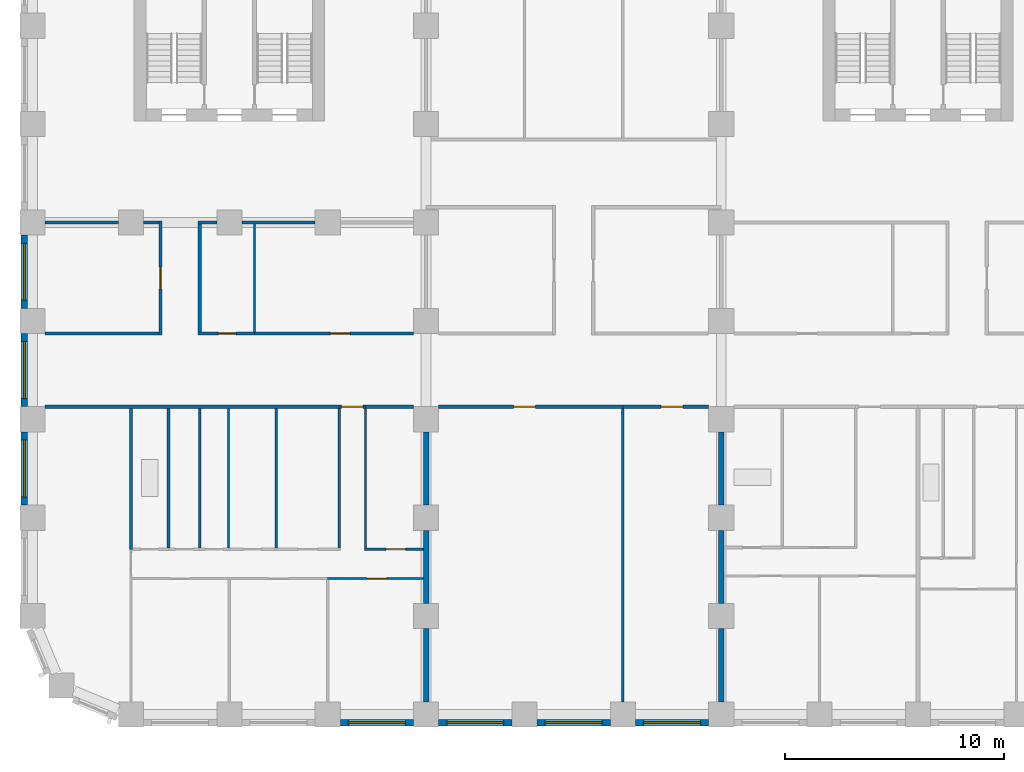
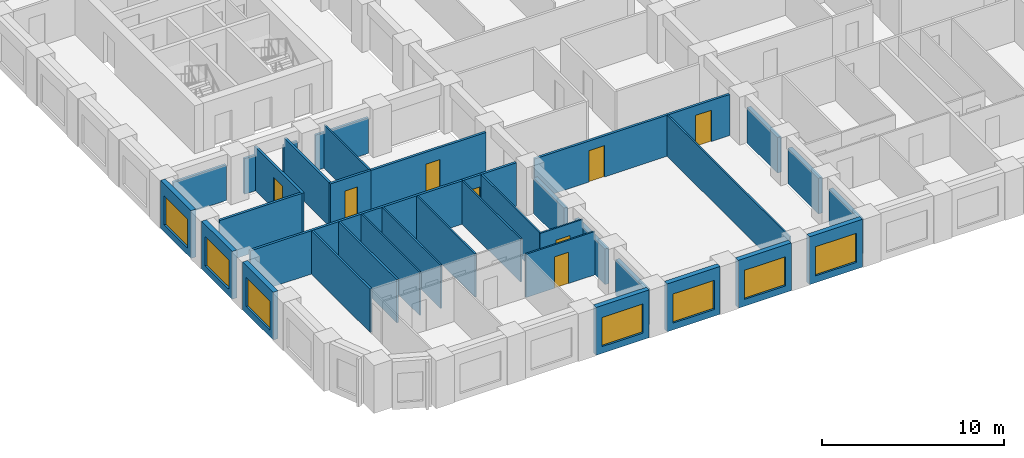
# One storey, part 3 of 13: 38 walls, 8 doors, 7 windows, 15 openings.
"""IFC4 building model written with IfcOpenShell, lengths in metres."""

from ifc_helpers import new_model, si_unit, direction, frame, frame_2d, origin, place, context, subcontext, project, spatial, rectangle, extrude, material, layer, layer_set, type_object, element, fill, save


model = new_model("IFC4")

# Units and contexts
model_context = context("Model", 3, precision=1e-05, world=origin(), true_north=direction((0.0, 1.0)))
body_context = subcontext(model_context, "Body", "Model", "MODEL_VIEW")
ifc_project = project(units=[si_unit("LENGTHUNIT", "METRE"), si_unit("AREAUNIT", "SQUARE_METRE"), si_unit("VOLUMEUNIT", "CUBIC_METRE"), si_unit("PLANEANGLEUNIT", "RADIAN"), si_unit("MASSUNIT", "GRAM", prefix="KILO")], contexts=[model_context])

# Site, building, storey
site_placement = place(None, origin())
site = spatial("IfcSite", under=ifc_project, at=site_placement, CompositionType="ELEMENT")
building_placement = place(site_placement, origin())
building = spatial("IfcBuilding", under=site, at=building_placement, Name="Girih Gate Residences", CompositionType="ELEMENT")
storey_placement = place(building_placement, frame((0.0, 0.0, 102.39990234375)))
storey = spatial("IfcBuildingStorey", under=building, at=storey_placement, Name="L28", CompositionType="ELEMENT", Elevation=102.39990234375)

# Walls
ifc_material_1 = material(Name="Gypsum board on steel studs", Category="steel")
ifc_layer_1 = layer(ifc_material_1, 0.25)
ifc_layer_set_1 = layer_set([ifc_layer_1], Name="Acoustic separating wall 250 mm")
wall_type_1 = type_object("IfcWallType", Name="Acoustic separating wall 250 mm", PredefinedType="PARTITIONING", material=ifc_layer_set_1)
for number, where, z_axis, x_axis, name in (
    (1, (18.0, 5.074951171875, 0.0), (0.0, 0.0, 1.0), (0.0, 1.0, 0.0), "L28 partition"),
    (2, (18.0, 0.574951171875, 0.0), (0.0, 0.0, 1.0), (0.0, 1.0, 0.0), "L28 partition"),
    (3, (18.0, 9.574951171875, 0.0), (0.0, 0.0, 1.0), (0.0, 1.0, 0.0), "L28 partition"),
    (4, (31.5, 9.574951171875, 0.0), (0.0, 0.0, 1.0), (0.0, 1.0, 0.0), "L28 partition"),
    (5, (31.5, 0.574951171875, 0.0), (0.0, 0.0, 1.0), (0.0, 1.0, 0.0), "L28 partition"),
    (6, (31.5, 5.074951171875, 0.0), (0.0, 0.0, 1.0), (0.0, 1.0, 0.0), "L28 partition"),
):
    element("IfcWall", number, at=place(storey_placement, frame(where, z_axis=z_axis, x_axis=x_axis)), inside=storey, type_object=wall_type_1, Name=name, PredefinedType="PARTITIONING", context=body_context, shape_type="SweptSolid", body=[
        extrude(rectangle(XDim=3.35009765625, YDim=0.25, at=frame_2d((1.675048828125, 0.0))), origin(), (0.0, 0.0, 1.0), 2.380126953125),
    ])

# Wall, opening, door
ifc_layer_2 = layer(ifc_material_1, 0.14990234375)
ifc_layer_set_2 = layer_set([ifc_layer_2], Name="Compartment wall 150 mm")
wall_type_2 = type_object("IfcWallType", Name="Compartment wall 150 mm", PredefinedType="PARTITIONING", material=ifc_layer_set_2)
wall_1_placement = place(storey_placement, frame((15.22509765625, 14.074951171875, 0.0), z_axis=(0.0, 0.0, 1.0), x_axis=(-1.0, 0.0, 0.0)))
wall_1 = element("IfcWall", 7, at=wall_1_placement, inside=storey, type_object=wall_type_2, Name="L28 partition", PredefinedType="PARTITIONING", context=body_context, shape_type="SweptSolid", body=[
    extrude(rectangle(XDim=1.2001953125, YDim=0.14990234375, at=frame_2d((0.60009765625, 0.0))), origin(), (0.0, 0.0, 1.0), 2.900146484375),
])
opening_1_placement = place(wall_1_placement, frame((0.10009765625, 0.0, 0.0)))
opening_1 = element("IfcOpeningElement", 8, at=opening_1_placement, cuts=wall_1, Name="Opening A28-011", PredefinedType="OPENING", context=body_context, shape_type="SweptSolid", body=[
    extrude(rectangle(XDim=1.0, YDim=2.10009765625, at=frame_2d((0.5, 1.050048828125))), frame((0.0, 0.0849609375, 0.0), z_axis=(0.0, -1.0, 0.0), x_axis=(1.0, 0.0, 0.0)), (0.0, 0.0, 1.0), 0.169921875),
])
ifc_material_2 = material(Name="Timber, fire-rated core", Category="wood")
door_type_1 = type_object("IfcDoorType", Name="Flat entrance door 1000x2100 FD30S", OperationType="NOTDEFINED", PredefinedType="DOOR", material=ifc_material_2)
door_1_placement = place(opening_1_placement, origin())
door_1 = element("IfcDoor", 9, at=door_1_placement, inside=storey, type_object=door_type_1, Name="Door A28-011", OperationType="SINGLE_SWING_RIGHT", OverallHeight=2.10009765625, OverallWidth=1.0, PredefinedType="DOOR", context=body_context, shape_type="SweptSolid", body=[
    extrude(rectangle(XDim=1.0, YDim=2.10009765625, at=frame_2d((0.5, 1.050048828125))), frame((0.0, 0.02490234375, 0.0), z_axis=(0.0, -1.0, 0.0), x_axis=(1.0, 0.0, 0.0)), (0.0, 0.0, 1.0), 0.050048828125),
])
fill(opening_1, door_1)

# Walls
wall_2_placement = place(storey_placement, frame((15.22509765625, 14.074951171875, 0.0), z_axis=(0.0, 0.0, 1.0), x_axis=(1.0, 0.0, 0.0)))
element("IfcWall", 10, at=wall_2_placement, inside=storey, type_object=wall_type_2, Name="L28 partition", PredefinedType="PARTITIONING", context=body_context, shape_type="SweptSolid", body=[
    extrude(rectangle(XDim=2.199951171875, YDim=0.14990234375, at=frame_2d((1.10009765625, 0.0))), origin(), (0.0, 0.0, 1.0), 2.900146484375),
])
wall_3_placement = place(storey_placement, frame((0.574951171875, 14.074951171875, 0.0), z_axis=(0.0, 0.0, 1.0), x_axis=(1.0, 0.0, 0.0)))
element("IfcWall", 11, at=wall_3_placement, inside=storey, type_object=wall_type_2, Name="L28 partition", PredefinedType="PARTITIONING", context=body_context, shape_type="SweptSolid", body=[
    extrude(rectangle(XDim=13.449951171875, YDim=0.14990234375, at=frame_2d((6.72509765625, 0.0))), origin(), (0.0, 0.0, 1.0), 2.900146484375),
])

# Wall, opening, door
wall_4_placement = place(storey_placement, frame((27.0, 14.074951171875, 0.0), z_axis=(0.0, 0.0, 1.0), x_axis=(-1.0, 0.0, 0.0)))
wall_4 = element("IfcWall", 12, at=wall_4_placement, inside=storey, type_object=wall_type_2, Name="L28 partition", PredefinedType="PARTITIONING", context=body_context, shape_type="SweptSolid", body=[
    extrude(rectangle(XDim=8.425048828125, YDim=0.14990234375, at=frame_2d((4.21240234375, 0.0))), origin(), (0.0, 0.0, 1.0), 2.75),
])
opening_2_placement = place(wall_4_placement, frame((4.0, 0.0, 0.0)))
opening_2 = element("IfcOpeningElement", 13, at=opening_2_placement, cuts=wall_4, Name="Opening A28-046", PredefinedType="OPENING", context=body_context, shape_type="SweptSolid", body=[
    extrude(rectangle(XDim=1.0, YDim=2.10009765625, at=frame_2d((0.5, 1.050048828125))), frame((0.0, 0.0849609375, 0.0), z_axis=(0.0, -1.0, 0.0), x_axis=(1.0, 0.0, 0.0)), (0.0, 0.0, 1.0), 0.169921875),
])
door_type_2 = type_object("IfcDoorType", Name="Amenity room door 1000x2100 FD30S", OperationType="NOTDEFINED", PredefinedType="DOOR", material=ifc_material_2)
door_2_placement = place(opening_2_placement, origin())
door_2 = element("IfcDoor", 14, at=door_2_placement, inside=storey, type_object=door_type_2, Name="Door A28-046", OperationType="SINGLE_SWING_RIGHT", OverallHeight=2.10009765625, OverallWidth=1.0, PredefinedType="DOOR", context=body_context, shape_type="SweptSolid", body=[
    extrude(rectangle(XDim=1.0, YDim=2.10009765625, at=frame_2d((0.5, 1.050048828125))), frame((0.0, 0.02490234375, 0.0), z_axis=(0.0, -1.0, 0.0), x_axis=(1.0, 0.0, 0.0)), (0.0, 0.0, 1.0), 0.050048828125),
])
fill(opening_2, door_2)

wall_5_placement = place(storey_placement, frame((30.925048828125, 14.074951171875, 0.0), z_axis=(0.0, 0.0, 1.0), x_axis=(-1.0, 0.0, 0.0)))
wall_5 = element("IfcWall", 15, at=wall_5_placement, inside=storey, type_object=wall_type_2, Name="L28 partition", PredefinedType="PARTITIONING", context=body_context, shape_type="SweptSolid", body=[
    extrude(rectangle(XDim=3.925048828125, YDim=0.14990234375, at=frame_2d((1.96240234375, 0.0))), origin(), (0.0, 0.0, 1.0), 2.75),
])
opening_3_placement = place(wall_5_placement, frame((1.175048828125, 0.0, 0.0)))
opening_3 = element("IfcOpeningElement", 16, at=opening_3_placement, cuts=wall_5, Name="Opening A28-047", PredefinedType="OPENING", context=body_context, shape_type="SweptSolid", body=[
    extrude(rectangle(XDim=1.0, YDim=2.10009765625, at=frame_2d((0.5, 1.050048828125))), frame((0.0, 0.0849609375, 0.0), z_axis=(0.0, -1.0, 0.0), x_axis=(1.0, 0.0, 0.0)), (0.0, 0.0, 1.0), 0.169921875),
])
door_3_placement = place(opening_3_placement, origin())
door_3 = element("IfcDoor", 17, at=door_3_placement, inside=storey, type_object=door_type_2, Name="Door A28-047", OperationType="SINGLE_SWING_LEFT", OverallHeight=2.10009765625, OverallWidth=1.0, PredefinedType="DOOR", context=body_context, shape_type="SweptSolid", body=[
    extrude(rectangle(XDim=1.0, YDim=2.10009765625, at=frame_2d((0.5, 1.050048828125))), frame((0.0, 0.02490234375, 0.0), z_axis=(0.0, -1.0, 0.0), x_axis=(1.0, 0.0, 0.0)), (0.0, 0.0, 1.0), 0.050048828125),
])
fill(opening_3, door_3)

wall_6_placement = place(storey_placement, frame((10.14990234375, 17.425048828125, 0.0), z_axis=(0.0, 0.0, 1.0), x_axis=(1.0, 0.0, 0.0)))
wall_6 = element("IfcWall", 18, at=wall_6_placement, inside=storey, type_object=wall_type_2, Name="L28 partition", PredefinedType="PARTITIONING", context=body_context, shape_type="SweptSolid", body=[
    extrude(rectangle(XDim=7.275146484375, YDim=0.14990234375, at=frame_2d((3.6376953125, 0.0))), origin(), (0.0, 0.0, 1.0), 2.900146484375),
])
opening_4_placement = place(wall_6_placement, frame((3.47509765625, 0.0, 0.0)))
opening_4 = element("IfcOpeningElement", 19, at=opening_4_placement, cuts=wall_6, Name="Opening A28-051", PredefinedType="OPENING", context=body_context, shape_type="SweptSolid", body=[
    extrude(rectangle(XDim=0.89990234375, YDim=2.10009765625, at=frame_2d((0.449951171875, 1.050048828125))), frame((0.0, 0.0849609375, 0.0), z_axis=(0.0, -1.0, 0.0), x_axis=(1.0, 0.0, 0.0)), (0.0, 0.0, 1.0), 0.169921875),
])
ifc_material_3 = material(Name="Timber", Category="wood")
door_type_3 = type_object("IfcDoorType", Name="Service room door 900x2100", OperationType="NOTDEFINED", PredefinedType="DOOR", material=ifc_material_3)
door_4_placement = place(opening_4_placement, origin())
door_4 = element("IfcDoor", 20, at=door_4_placement, inside=storey, type_object=door_type_3, Name="Door A28-051", OperationType="SINGLE_SWING_RIGHT", OverallHeight=2.10009765625, OverallWidth=0.89990234375, PredefinedType="DOOR", context=body_context, shape_type="SweptSolid", body=[
    extrude(rectangle(XDim=0.89990234375, YDim=2.10009765625, at=frame_2d((0.449951171875, 1.050048828125))), frame((0.0, 0.02490234375, 0.0), z_axis=(0.0, -1.0, 0.0), x_axis=(1.0, 0.0, 0.0)), (0.0, 0.0, 1.0), 0.050048828125),
])
fill(opening_4, door_4)

wall_7_placement = place(storey_placement, frame((7.574951171875, 17.425048828125, 0.0), z_axis=(0.0, 0.0, 1.0), x_axis=(1.0, 0.0, 0.0)))
wall_7 = element("IfcWall", 21, at=wall_7_placement, inside=storey, type_object=wall_type_2, Name="L28 partition", PredefinedType="PARTITIONING", context=body_context, shape_type="SweptSolid", body=[
    extrude(rectangle(XDim=2.574951171875, YDim=0.14990234375, at=frame_2d((1.28759765625, 0.0))), origin(), (0.0, 0.0, 1.0), 2.900146484375),
])
opening_5_placement = place(wall_7_placement, frame((0.925048828125, 0.0, 0.0)))
opening_5 = element("IfcOpeningElement", 22, at=opening_5_placement, cuts=wall_7, Name="Opening A28-053", PredefinedType="OPENING", context=body_context, shape_type="SweptSolid", body=[
    extrude(rectangle(XDim=0.800048828125, YDim=2.10009765625, at=frame_2d((0.39990234375, 1.050048828125))), frame((0.0, 0.0849609375, 0.0), z_axis=(0.0, -1.0, 0.0), x_axis=(1.0, 0.0, 0.0)), (0.0, 0.0, 1.0), 0.169921875),
])
door_type_4 = type_object("IfcDoorType", Name="Bathroom door 800x2100", OperationType="NOTDEFINED", PredefinedType="DOOR", material=ifc_material_3)
door_5_placement = place(opening_5_placement, origin())
door_5 = element("IfcDoor", 23, at=door_5_placement, inside=storey, type_object=door_type_4, Name="Door A28-053", OperationType="SINGLE_SWING_RIGHT", OverallHeight=2.10009765625, OverallWidth=0.800048828125, PredefinedType="DOOR", context=body_context, shape_type="SweptSolid", body=[
    extrude(rectangle(XDim=0.800048828125, YDim=2.10009765625, at=frame_2d((0.39990234375, 1.050048828125))), frame((0.0, 0.02490234375, 0.0), z_axis=(0.0, -1.0, 0.0), x_axis=(1.0, 0.0, 0.0)), (0.0, 0.0, 1.0), 0.050048828125),
])
fill(opening_5, door_5)

# Walls
wall_8_placement = place(storey_placement, frame((0.574951171875, 17.425048828125, 0.0), z_axis=(0.0, 0.0, 1.0), x_axis=(1.0, 0.0, 0.0)))
element("IfcWall", 24, at=wall_8_placement, inside=storey, type_object=wall_type_2, Name="L28 partition", PredefinedType="PARTITIONING", context=body_context, shape_type="SweptSolid", body=[
    extrude(rectangle(XDim=5.199951171875, YDim=0.14990234375, at=frame_2d((2.60009765625, 0.0))), origin(), (0.0, 0.0, 1.0), 2.900146484375),
])
wall_9_placement = place(storey_placement, frame((9.574951171875, 22.5, 0.0), z_axis=(0.0, 0.0, 1.0), x_axis=(1.0, 0.0, 0.0)))
element("IfcWall", 25, at=wall_9_placement, inside=storey, type_object=wall_type_2, Name="L28 partition", PredefinedType="PARTITIONING", context=body_context, shape_type="SweptSolid", body=[
    extrude(rectangle(XDim=3.35009765625, YDim=0.14990234375, at=frame_2d((1.675048828125, 0.0))), origin(), (0.0, 0.0, 1.0), 2.380126953125),
])
wall_10_placement = place(storey_placement, frame((7.574951171875, 22.5, 0.0), z_axis=(0.0, 0.0, 1.0), x_axis=(1.0, 0.0, 0.0)))
element("IfcWall", 26, at=wall_10_placement, inside=storey, type_object=wall_type_2, Name="L28 partition", PredefinedType="PARTITIONING", context=body_context, shape_type="SweptSolid", body=[
    extrude(rectangle(XDim=0.85009765625, YDim=0.14990234375, at=frame_2d((0.425048828125, 0.0))), origin(), (0.0, 0.0, 1.0), 2.380126953125),
])
wall_11_placement = place(storey_placement, frame((5.074951171875, 22.5, 0.0), z_axis=(0.0, 0.0, 1.0), x_axis=(1.0, 0.0, 0.0)))
element("IfcWall", 27, at=wall_11_placement, inside=storey, type_object=wall_type_2, Name="L28 partition", PredefinedType="PARTITIONING", context=body_context, shape_type="SweptSolid", body=[
    extrude(rectangle(XDim=0.699951171875, YDim=0.14990234375, at=frame_2d((0.35009765625, 0.0))), origin(), (0.0, 0.0, 1.0), 2.380126953125),
])
wall_12_placement = place(storey_placement, frame((0.574951171875, 22.5, 0.0), z_axis=(0.0, 0.0, 1.0), x_axis=(1.0, 0.0, 0.0)))
element("IfcWall", 28, at=wall_12_placement, inside=storey, type_object=wall_type_2, Name="L28 partition", PredefinedType="PARTITIONING", context=body_context, shape_type="SweptSolid", body=[
    extrude(rectangle(XDim=3.35009765625, YDim=0.14990234375, at=frame_2d((1.675048828125, 0.0))), origin(), (0.0, 0.0, 1.0), 2.380126953125),
])
wall_13_placement = place(storey_placement, frame((7.64990234375, 17.5, 0.0), z_axis=(0.0, 0.0, 1.0), x_axis=(0.0, 1.0, 0.0)))
element("IfcWall", 29, at=wall_13_placement, inside=storey, type_object=wall_type_2, Name="L28 partition", PredefinedType="PARTITIONING", context=body_context, shape_type="SweptSolid", body=[
    extrude(rectangle(XDim=4.925048828125, YDim=0.14990234375, at=frame_2d((2.46240234375, 0.0))), origin(), (0.0, 0.0, 1.0), 2.900146484375),
])

# Wall, opening, door
wall_14_placement = place(storey_placement, frame((5.85009765625, 17.35009765625, 0.0), z_axis=(0.0, 0.0, 1.0), x_axis=(0.0, 1.0, 0.0)))
wall_14 = element("IfcWall", 30, at=wall_14_placement, inside=storey, type_object=wall_type_2, Name="L28 partition", PredefinedType="PARTITIONING", context=body_context, shape_type="SweptSolid", body=[
    extrude(rectangle(XDim=5.224853515625, YDim=0.14990234375, at=frame_2d((2.6123046875, 0.0))), origin(), (0.0, 0.0, 1.0), 2.900146484375),
])
opening_6_placement = place(wall_14_placement, frame((2.112548828125, 0.0, 0.0)))
opening_6 = element("IfcOpeningElement", 31, at=opening_6_placement, cuts=wall_14, Name="Opening A28-055", PredefinedType="OPENING", context=body_context, shape_type="SweptSolid", body=[
    extrude(rectangle(XDim=1.0, YDim=2.10009765625, at=frame_2d((0.5, 1.050048828125))), frame((0.0, 0.0849609375, 0.0), z_axis=(0.0, -1.0, 0.0), x_axis=(1.0, 0.0, 0.0)), (0.0, 0.0, 1.0), 0.169921875),
])
door_6_placement = place(opening_6_placement, origin())
door_6 = element("IfcDoor", 32, at=door_6_placement, inside=storey, type_object=door_type_2, Name="Door A28-055", OperationType="SINGLE_SWING_LEFT", OverallHeight=2.10009765625, OverallWidth=1.0, PredefinedType="DOOR", context=body_context, shape_type="SweptSolid", body=[
    extrude(rectangle(XDim=1.0, YDim=2.10009765625, at=frame_2d((0.5, 1.050048828125))), frame((0.0, 0.02490234375, 0.0), z_axis=(0.0, -1.0, 0.0), x_axis=(1.0, 0.0, 0.0)), (0.0, 0.0, 1.0), 0.050048828125),
])
fill(opening_6, door_6)

ifc_layer_3 = layer(ifc_material_1, 0.10009765625)
ifc_layer_set_3 = layer_set([ifc_layer_3], Name="Partition 100 mm")
wall_type_3 = type_object("IfcWallType", Name="Partition 100 mm", PredefinedType="PARTITIONING", material=ifc_layer_set_3)
wall_15_placement = place(storey_placement, frame((17.875, 6.215087890625, 0.0), z_axis=(0.0, 0.0, 1.0), x_axis=(-1.0, 0.0, 0.0)))
wall_15 = element("IfcWall", 33, at=wall_15_placement, inside=storey, type_object=wall_type_3, Name="L28 partition", PredefinedType="PARTITIONING", context=body_context, shape_type="SweptSolid", body=[
    extrude(rectangle(XDim=4.375, YDim=0.10009765625, at=frame_2d((2.1875, 0.0))), origin(), (0.0, 0.0, 1.0), 2.900146484375),
])
opening_7_placement = place(wall_15_placement, frame((1.675048828125, 0.0, 0.0)))
opening_7 = element("IfcOpeningElement", 34, at=opening_7_placement, cuts=wall_15, Name="Opening A28-004", PredefinedType="OPENING", context=body_context, shape_type="SweptSolid", body=[
    extrude(rectangle(XDim=0.89990234375, YDim=2.10009765625, at=frame_2d((0.449951171875, 1.050048828125))), frame((0.0, 0.06005859375, 0.0), z_axis=(0.0, -1.0, 0.0), x_axis=(1.0, 0.0, 0.0)), (0.0, 0.0, 1.0), 0.1201171875),
])
door_type_5 = type_object("IfcDoorType", Name="Bedroom door 900x2100", OperationType="NOTDEFINED", PredefinedType="DOOR", material=ifc_material_3)
door_7_placement = place(opening_7_placement, origin())
door_7 = element("IfcDoor", 35, at=door_7_placement, inside=storey, type_object=door_type_5, Name="Door A28-004", OperationType="SINGLE_SWING_LEFT", OverallHeight=2.10009765625, OverallWidth=0.89990234375, PredefinedType="DOOR", context=body_context, shape_type="SweptSolid", body=[
    extrude(rectangle(XDim=0.89990234375, YDim=2.10009765625, at=frame_2d((0.449951171875, 1.050048828125))), frame((0.0, 0.02490234375, 0.0), z_axis=(0.0, -1.0, 0.0), x_axis=(1.0, 0.0, 0.0)), (0.0, 0.0, 1.0), 0.050048828125),
])
fill(opening_7, door_7)

# Walls
for number, where, z_axis, x_axis, name in (
    (36, (8.965087890625, 7.60498046875, 0.0), (0.0, 0.0, 1.0), (0.0, 1.0, 0.0), "L28 partition"),
    (37, (11.14501953125, 7.60498046875, 0.0), (0.0, 0.0, 1.0), (0.0, 1.0, 0.0), "L28 partition"),
    (38, (15.22509765625, 7.60498046875, 0.0), (0.0, 0.0, 1.0), (0.0, 1.0, 0.0), "L28 partition"),
):
    element("IfcWall", number, at=place(storey_placement, frame(where, z_axis=z_axis, x_axis=x_axis)), inside=storey, type_object=wall_type_3, Name=name, PredefinedType="PARTITIONING", context=body_context, shape_type="SweptSolid", body=[
        extrude(rectangle(XDim=6.39501953125, YDim=0.10009765625, at=frame_2d((3.197509765625, 0.0))), origin(), (0.0, 0.0, 1.0), 2.900146484375),
    ])

# Wall, opening, door
wall_16_placement = place(storey_placement, frame((15.175048828125, 7.554931640625, 0.0), z_axis=(0.0, 0.0, 1.0), x_axis=(1.0, 0.0, 0.0)))
wall_16 = element("IfcWall", 39, at=wall_16_placement, inside=storey, type_object=wall_type_3, Name="L28 partition", PredefinedType="PARTITIONING", context=body_context, shape_type="SweptSolid", body=[
    extrude(rectangle(XDim=2.699951171875, YDim=0.10009765625, at=frame_2d((1.35009765625, 0.0))), origin(), (0.0, 0.0, 1.0), 2.900146484375),
])
opening_8_placement = place(wall_16_placement, frame((0.987548828125, 0.0, 0.0)))
opening_8 = element("IfcOpeningElement", 40, at=opening_8_placement, cuts=wall_16, Name="Opening A28-006", PredefinedType="OPENING", context=body_context, shape_type="SweptSolid", body=[
    extrude(rectangle(XDim=0.89990234375, YDim=2.10009765625, at=frame_2d((0.449951171875, 1.050048828125))), frame((0.0, 0.06005859375, 0.0), z_axis=(0.0, -1.0, 0.0), x_axis=(1.0, 0.0, 0.0)), (0.0, 0.0, 1.0), 0.1201171875),
])
door_type_6 = type_object("IfcDoorType", Name="Kitchen door 900x2100", OperationType="NOTDEFINED", PredefinedType="DOOR", material=ifc_material_3)
door_8_placement = place(opening_8_placement, origin())
door_8 = element("IfcDoor", 41, at=door_8_placement, inside=storey, type_object=door_type_6, Name="Door A28-006", OperationType="SINGLE_SWING_RIGHT", OverallHeight=2.10009765625, OverallWidth=0.89990234375, PredefinedType="DOOR", context=body_context, shape_type="SweptSolid", body=[
    extrude(rectangle(XDim=0.89990234375, YDim=2.10009765625, at=frame_2d((0.449951171875, 1.050048828125))), frame((0.0, 0.02490234375, 0.0), z_axis=(0.0, -1.0, 0.0), x_axis=(1.0, 0.0, 0.0)), (0.0, 0.0, 1.0), 0.050048828125),
])
fill(opening_8, door_8)

# Walls
for number, where, z_axis, x_axis, name in (
    (42, (14.02490234375, 7.60498046875, 0.0), (0.0, 0.0, 1.0), (0.0, 1.0, 0.0), "L28 partition"),
    (43, (7.64697265625, 7.60498046875, 0.0), (0.0, 0.0, 1.0), (0.0, 1.0, 0.0), "L28 partition"),
):
    element("IfcWall", number, at=place(storey_placement, frame(where, z_axis=z_axis, x_axis=x_axis)), inside=storey, type_object=wall_type_3, Name=name, PredefinedType="PARTITIONING", context=body_context, shape_type="SweptSolid", body=[
        extrude(rectangle(XDim=6.39501953125, YDim=0.10009765625, at=frame_2d((3.197509765625, 0.0))), origin(), (0.0, 0.0, 1.0), 2.900146484375),
    ])
wall_17_placement = place(storey_placement, frame((27.0, 0.574951171875, 0.0), z_axis=(0.0, 0.0, 1.0), x_axis=(0.0, 1.0, 0.0)))
element("IfcWall", 44, at=wall_17_placement, inside=storey, type_object=wall_type_3, Name="L28 partition", PredefinedType="PARTITIONING", context=body_context, shape_type="SweptSolid", body=[
    extrude(rectangle(XDim=13.425048828125, YDim=0.10009765625, at=frame_2d((6.71240234375, 0.0))), origin(), (0.0, 0.0, 1.0), 2.75),
])
wall_18_placement = place(storey_placement, frame((10.14990234375, 17.5, 0.0), z_axis=(0.0, 0.0, 1.0), x_axis=(0.0, 1.0, 0.0)))
element("IfcWall", 45, at=wall_18_placement, inside=storey, type_object=wall_type_3, Name="L28 partition", PredefinedType="PARTITIONING", context=body_context, shape_type="SweptSolid", body=[
    extrude(rectangle(XDim=4.925048828125, YDim=0.10009765625, at=frame_2d((2.46240234375, 0.0))), origin(), (0.0, 0.0, 1.0), 2.900146484375),
])

# Wall, opening, window
ifc_material_4 = material(Name="Precast concrete C50/60", Category="concrete")
ifc_layer_4 = layer(ifc_material_4, 0.080078125, Name="Outer leaf")
ifc_material_5 = material(Name="Rigid PIR insulation")
ifc_layer_5 = layer(ifc_material_5, 0.14990234375, Name="Insulation")
ifc_material_6 = material(Name="Precast concrete C40/50", Category="concrete")
ifc_layer_6 = layer(ifc_material_6, 0.070068359375, Name="Inner leaf")
ifc_layer_set_4 = layer_set([ifc_layer_4, ifc_layer_5, ifc_layer_6], Name="Precast concrete C50/60 external wall 300")
wall_type_4 = type_object("IfcWallType", Name="Precast concrete C50/60 external wall 300", PredefinedType="SOLIDWALL", material=ifc_layer_set_4)
wall_19_placement = place(storey_placement, frame((17.425048828125, -0.375, 0.0), z_axis=(0.0, 0.0, 1.0), x_axis=(-1.0, 0.0, 0.0)))
wall_19 = element("IfcWall", 46, at=wall_19_placement, inside=storey, type_object=wall_type_4, Name="External wall S0045_0000.2", PredefinedType="SOLIDWALL", context=body_context, shape_type="SweptSolid", body=[
    extrude(rectangle(XDim=3.35009765625, YDim=0.300048828125, at=frame_2d((1.675048828125, 0.0))), origin(), (0.0, 0.0, 1.0), 3.2001953125),
])
opening_9_placement = place(wall_19_placement, frame((0.375, 0.0, 0.449951171875)))
opening_9 = element("IfcOpeningElement", 47, at=opening_9_placement, cuts=wall_19, Name="Opening W-1A", PredefinedType="OPENING", context=body_context, shape_type="SweptSolid", body=[
    extrude(rectangle(XDim=2.60009765625, YDim=1.949951171875, at=frame_2d((1.300048828125, 0.97509765625))), frame((0.0, 0.159912109375, 0.0), z_axis=(0.0, -1.0, 0.0), x_axis=(1.0, 0.0, 0.0)), (0.0, 0.0, 1.0), 0.320068359375),
])
ifc_material_7 = material(Name="Double glazing in aluminium frame", Category="aluminium")
window_type = type_object("IfcWindowType", Name="Window W-1A 2600x1950", PartitioningType="SINGLE_PANEL", PredefinedType="WINDOW", material=ifc_material_7)
window_1_placement = place(opening_9_placement, origin())
window_1 = element("IfcWindow", 48, at=window_1_placement, inside=storey, type_object=window_type, Name="Window W-1A S0045_0000.2", OverallHeight=1.949951171875, OverallWidth=2.60009765625, PartitioningType="SINGLE_PANEL", PredefinedType="WINDOW", context=body_context, shape_type="SweptSolid", body=[
    extrude(rectangle(XDim=2.60009765625, YDim=1.949951171875, at=frame_2d((1.300048828125, 0.97509765625))), frame((0.0, 0.030029296875, 0.0), z_axis=(0.0, -1.0, 0.0), x_axis=(1.0, 0.0, 0.0)), (0.0, 0.0, 1.0), 0.06005859375),
])
fill(opening_9, window_1)

wall_20_placement = place(storey_placement, frame((21.925048828125, -0.375, 0.0), z_axis=(0.0, 0.0, 1.0), x_axis=(-1.0, 0.0, 0.0)))
wall_20 = element("IfcWall", 49, at=wall_20_placement, inside=storey, type_object=wall_type_4, Name="External wall S0045_0000.3", PredefinedType="SOLIDWALL", context=body_context, shape_type="SweptSolid", body=[
    extrude(rectangle(XDim=3.35009765625, YDim=0.300048828125, at=frame_2d((1.675048828125, 0.0))), origin(), (0.0, 0.0, 1.0), 3.2001953125),
])
opening_10_placement = place(wall_20_placement, frame((0.375, 0.0, 0.449951171875)))
opening_10 = element("IfcOpeningElement", 50, at=opening_10_placement, cuts=wall_20, Name="Opening W-1A", PredefinedType="OPENING", context=body_context, shape_type="SweptSolid", body=[
    extrude(rectangle(XDim=2.60009765625, YDim=1.949951171875, at=frame_2d((1.300048828125, 0.97509765625))), frame((0.0, 0.159912109375, 0.0), z_axis=(0.0, -1.0, 0.0), x_axis=(1.0, 0.0, 0.0)), (0.0, 0.0, 1.0), 0.320068359375),
])
window_2_placement = place(opening_10_placement, origin())
window_2 = element("IfcWindow", 51, at=window_2_placement, inside=storey, type_object=window_type, Name="Window W-1A S0045_0000.3", OverallHeight=1.949951171875, OverallWidth=2.60009765625, PartitioningType="SINGLE_PANEL", PredefinedType="WINDOW", context=body_context, shape_type="SweptSolid", body=[
    extrude(rectangle(XDim=2.60009765625, YDim=1.949951171875, at=frame_2d((1.300048828125, 0.97509765625))), frame((0.0, 0.030029296875, 0.0), z_axis=(0.0, -1.0, 0.0), x_axis=(1.0, 0.0, 0.0)), (0.0, 0.0, 1.0), 0.06005859375),
])
fill(opening_10, window_2)

wall_21_placement = place(storey_placement, frame((26.425048828125, -0.375, 0.0), z_axis=(0.0, 0.0, 1.0), x_axis=(-1.0, 0.0, 0.0)))
wall_21 = element("IfcWall", 52, at=wall_21_placement, inside=storey, type_object=wall_type_4, Name="External wall S0045_0000.4", PredefinedType="SOLIDWALL", context=body_context, shape_type="SweptSolid", body=[
    extrude(rectangle(XDim=3.35009765625, YDim=0.300048828125, at=frame_2d((1.675048828125, 0.0))), origin(), (0.0, 0.0, 1.0), 3.2001953125),
])
opening_11_placement = place(wall_21_placement, frame((0.375, 0.0, 0.449951171875)))
opening_11 = element("IfcOpeningElement", 53, at=opening_11_placement, cuts=wall_21, Name="Opening W-1A", PredefinedType="OPENING", context=body_context, shape_type="SweptSolid", body=[
    extrude(rectangle(XDim=2.60009765625, YDim=1.949951171875, at=frame_2d((1.300048828125, 0.97509765625))), frame((0.0, 0.159912109375, 0.0), z_axis=(0.0, -1.0, 0.0), x_axis=(1.0, 0.0, 0.0)), (0.0, 0.0, 1.0), 0.320068359375),
])
window_3_placement = place(opening_11_placement, origin())
window_3 = element("IfcWindow", 54, at=window_3_placement, inside=storey, type_object=window_type, Name="Window W-1A S0045_0000.4", OverallHeight=1.949951171875, OverallWidth=2.60009765625, PartitioningType="SINGLE_PANEL", PredefinedType="WINDOW", context=body_context, shape_type="SweptSolid", body=[
    extrude(rectangle(XDim=2.60009765625, YDim=1.949951171875, at=frame_2d((1.300048828125, 0.97509765625))), frame((0.0, 0.030029296875, 0.0), z_axis=(0.0, -1.0, 0.0), x_axis=(1.0, 0.0, 0.0)), (0.0, 0.0, 1.0), 0.06005859375),
])
fill(opening_11, window_3)

wall_22_placement = place(storey_placement, frame((30.925048828125, -0.375, 0.0), z_axis=(0.0, 0.0, 1.0), x_axis=(-1.0, 0.0, 0.0)))
wall_22 = element("IfcWall", 55, at=wall_22_placement, inside=storey, type_object=wall_type_4, Name="External wall S0045_0000.5", PredefinedType="SOLIDWALL", context=body_context, shape_type="SweptSolid", body=[
    extrude(rectangle(XDim=3.35009765625, YDim=0.300048828125, at=frame_2d((1.675048828125, 0.0))), origin(), (0.0, 0.0, 1.0), 3.2001953125),
])
opening_12_placement = place(wall_22_placement, frame((0.375, 0.0, 0.449951171875)))
opening_12 = element("IfcOpeningElement", 56, at=opening_12_placement, cuts=wall_22, Name="Opening W-1A", PredefinedType="OPENING", context=body_context, shape_type="SweptSolid", body=[
    extrude(rectangle(XDim=2.60009765625, YDim=1.949951171875, at=frame_2d((1.300048828125, 0.97509765625))), frame((0.0, 0.159912109375, 0.0), z_axis=(0.0, -1.0, 0.0), x_axis=(1.0, 0.0, 0.0)), (0.0, 0.0, 1.0), 0.320068359375),
])
window_4_placement = place(opening_12_placement, origin())
window_4 = element("IfcWindow", 57, at=window_4_placement, inside=storey, type_object=window_type, Name="Window W-1A S0045_0000.5", OverallHeight=1.949951171875, OverallWidth=2.60009765625, PartitioningType="SINGLE_PANEL", PredefinedType="WINDOW", context=body_context, shape_type="SweptSolid", body=[
    extrude(rectangle(XDim=2.60009765625, YDim=1.949951171875, at=frame_2d((1.300048828125, 0.97509765625))), frame((0.0, 0.030029296875, 0.0), z_axis=(0.0, -1.0, 0.0), x_axis=(1.0, 0.0, 0.0)), (0.0, 0.0, 1.0), 0.06005859375),
])
fill(opening_12, window_4)

wall_23_placement = place(storey_placement, frame((-0.375, 18.574951171875, 0.0), z_axis=(0.0, 0.0, 1.0), x_axis=(0.0, 1.0, 0.0)))
wall_23 = element("IfcWall", 58, at=wall_23_placement, inside=storey, type_object=wall_type_4, Name="External wall W0000_0450.5", PredefinedType="SOLIDWALL", context=body_context, shape_type="SweptSolid", body=[
    extrude(rectangle(XDim=3.35009765625, YDim=0.300048828125, at=frame_2d((1.675048828125, 0.0))), origin(), (0.0, 0.0, 1.0), 3.2001953125),
])
opening_13_placement = place(wall_23_placement, frame((0.375, 0.0, 0.449951171875)))
opening_13 = element("IfcOpeningElement", 59, at=opening_13_placement, cuts=wall_23, Name="Opening W-1A", PredefinedType="OPENING", context=body_context, shape_type="SweptSolid", body=[
    extrude(rectangle(XDim=2.60009765625, YDim=1.949951171875, at=frame_2d((1.300048828125, 0.97509765625))), frame((0.0, 0.159912109375, 0.0), z_axis=(0.0, -1.0, 0.0), x_axis=(1.0, 0.0, 0.0)), (0.0, 0.0, 1.0), 0.320068359375),
])
window_5_placement = place(opening_13_placement, origin())
window_5 = element("IfcWindow", 60, at=window_5_placement, inside=storey, type_object=window_type, Name="Window W-1A W0000_0450.5", OverallHeight=1.949951171875, OverallWidth=2.60009765625, PartitioningType="SINGLE_PANEL", PredefinedType="WINDOW", context=body_context, shape_type="SweptSolid", body=[
    extrude(rectangle(XDim=2.60009765625, YDim=1.949951171875, at=frame_2d((1.300048828125, 0.97509765625))), frame((0.0, 0.030029296875, 0.0), z_axis=(0.0, -1.0, 0.0), x_axis=(1.0, 0.0, 0.0)), (0.0, 0.0, 1.0), 0.06005859375),
])
fill(opening_13, window_5)

wall_24_placement = place(storey_placement, frame((-0.375, 14.074951171875, 0.0), z_axis=(0.0, 0.0, 1.0), x_axis=(0.0, 1.0, 0.0)))
wall_24 = element("IfcWall", 61, at=wall_24_placement, inside=storey, type_object=wall_type_4, Name="External wall W0000_0450.6", PredefinedType="SOLIDWALL", context=body_context, shape_type="SweptSolid", body=[
    extrude(rectangle(XDim=3.35009765625, YDim=0.300048828125, at=frame_2d((1.675048828125, 0.0))), origin(), (0.0, 0.0, 1.0), 3.2001953125),
])
opening_14_placement = place(wall_24_placement, frame((0.375, 0.0, 0.449951171875)))
opening_14 = element("IfcOpeningElement", 62, at=opening_14_placement, cuts=wall_24, Name="Opening W-1A", PredefinedType="OPENING", context=body_context, shape_type="SweptSolid", body=[
    extrude(rectangle(XDim=2.60009765625, YDim=1.949951171875, at=frame_2d((1.300048828125, 0.97509765625))), frame((0.0, 0.159912109375, 0.0), z_axis=(0.0, -1.0, 0.0), x_axis=(1.0, 0.0, 0.0)), (0.0, 0.0, 1.0), 0.320068359375),
])
window_6_placement = place(opening_14_placement, origin())
window_6 = element("IfcWindow", 63, at=window_6_placement, inside=storey, type_object=window_type, Name="Window W-1A W0000_0450.6", OverallHeight=1.949951171875, OverallWidth=2.60009765625, PartitioningType="SINGLE_PANEL", PredefinedType="WINDOW", context=body_context, shape_type="SweptSolid", body=[
    extrude(rectangle(XDim=2.60009765625, YDim=1.949951171875, at=frame_2d((1.300048828125, 0.97509765625))), frame((0.0, 0.030029296875, 0.0), z_axis=(0.0, -1.0, 0.0), x_axis=(1.0, 0.0, 0.0)), (0.0, 0.0, 1.0), 0.06005859375),
])
fill(opening_14, window_6)

wall_25_placement = place(storey_placement, frame((-0.375, 9.574951171875, 0.0), z_axis=(0.0, 0.0, 1.0), x_axis=(0.0, 1.0, 0.0)))
wall_25 = element("IfcWall", 64, at=wall_25_placement, inside=storey, type_object=wall_type_4, Name="External wall W0000_0450.7", PredefinedType="SOLIDWALL", context=body_context, shape_type="SweptSolid", body=[
    extrude(rectangle(XDim=3.35009765625, YDim=0.300048828125, at=frame_2d((1.675048828125, 0.0))), origin(), (0.0, 0.0, 1.0), 3.2001953125),
])
opening_15_placement = place(wall_25_placement, frame((0.375, 0.0, 0.449951171875)))
opening_15 = element("IfcOpeningElement", 65, at=opening_15_placement, cuts=wall_25, Name="Opening W-1A", PredefinedType="OPENING", context=body_context, shape_type="SweptSolid", body=[
    extrude(rectangle(XDim=2.60009765625, YDim=1.949951171875, at=frame_2d((1.300048828125, 0.97509765625))), frame((0.0, 0.159912109375, 0.0), z_axis=(0.0, -1.0, 0.0), x_axis=(1.0, 0.0, 0.0)), (0.0, 0.0, 1.0), 0.320068359375),
])
window_7_placement = place(opening_15_placement, origin())
window_7 = element("IfcWindow", 66, at=window_7_placement, inside=storey, type_object=window_type, Name="Window W-1A W0000_0450.7", OverallHeight=1.949951171875, OverallWidth=2.60009765625, PartitioningType="SINGLE_PANEL", PredefinedType="WINDOW", context=body_context, shape_type="SweptSolid", body=[
    extrude(rectangle(XDim=2.60009765625, YDim=1.949951171875, at=frame_2d((1.300048828125, 0.97509765625))), frame((0.0, 0.030029296875, 0.0), z_axis=(0.0, -1.0, 0.0), x_axis=(1.0, 0.0, 0.0)), (0.0, 0.0, 1.0), 0.06005859375),
])
fill(opening_15, window_7)

# Walls
ifc_layer_7 = layer(ifc_material_1, 0.125)
ifc_layer_set_5 = layer_set([ifc_layer_7], Name="Wet room wall 125 mm")
wall_type_5 = type_object("IfcWallType", Name="Wet room wall 125 mm", PredefinedType="PARTITIONING", material=ifc_layer_set_5)
wall_26_placement = place(storey_placement, frame((4.5, 7.554931640625, 0.0), z_axis=(0.0, 0.0, 1.0), x_axis=(0.0, 1.0, 0.0)))
element("IfcWall", 67, at=wall_26_placement, inside=storey, type_object=wall_type_5, Name="L28 partition", PredefinedType="PARTITIONING", context=body_context, shape_type="SweptSolid", body=[
    extrude(rectangle(XDim=6.445068359375, YDim=0.125, at=frame_2d((3.22265625, 0.0))), origin(), (0.0, 0.0, 1.0), 2.900146484375),
])
wall_27_placement = place(storey_placement, frame((6.217041015625, 7.617431640625, 0.0), z_axis=(0.0, 0.0, 1.0), x_axis=(0.0, 1.0, 0.0)))
element("IfcWall", 68, at=wall_27_placement, inside=storey, type_object=wall_type_5, Name="L28 partition", PredefinedType="PARTITIONING", context=body_context, shape_type="SweptSolid", body=[
    extrude(rectangle(XDim=6.382568359375, YDim=0.125, at=frame_2d((3.19140625, 0.0))), origin(), (0.0, 0.0, 1.0), 2.900146484375),
])

save(model, "model.ifc")
